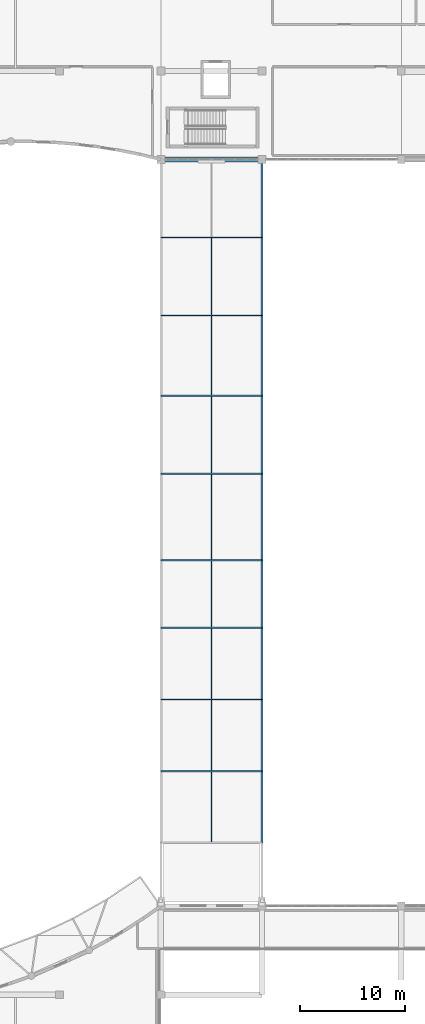
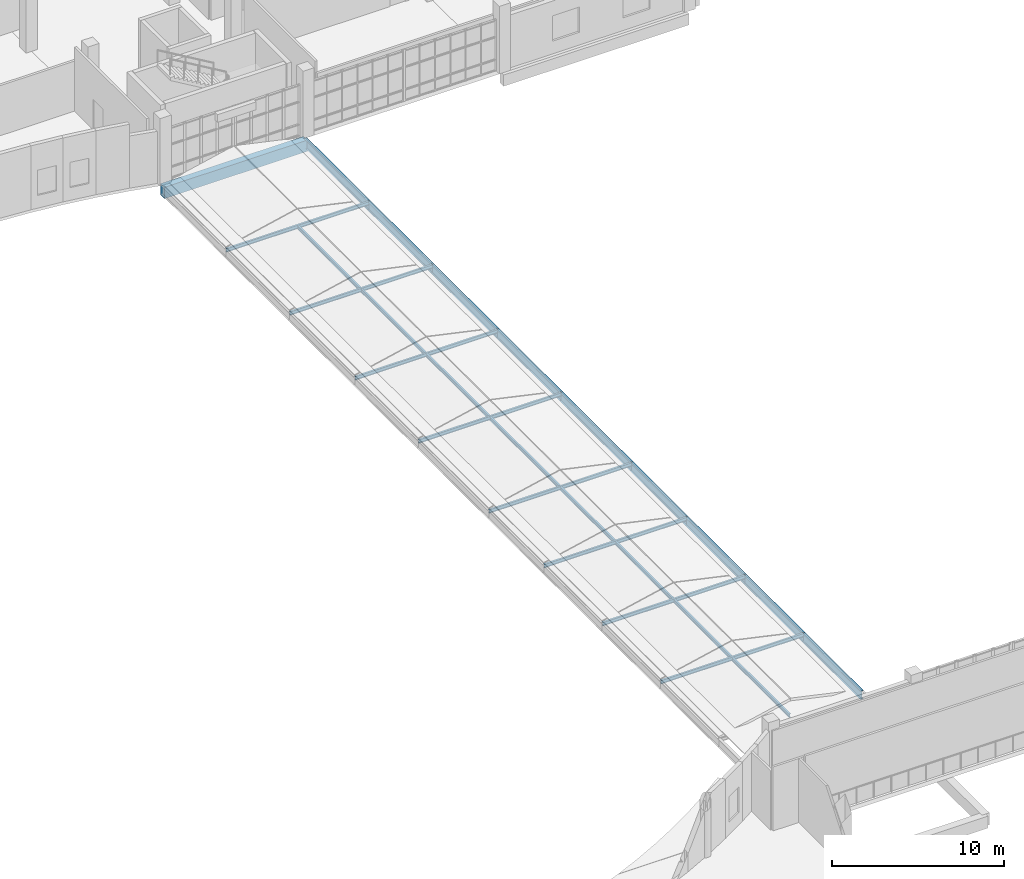
# One storey, part 54 of 106: 26 beams.
"""IFC4 building model written with IfcOpenShell, lengths in metres."""

from ifc_helpers import new_model, si_unit, direction, frame, origin, origin_2d, place, context, subcontext, project, spatial, rectangle, i_section, extrude, material, material_profile, profile_set, type_object, element, save


model = new_model("IFC4")

# Units and contexts
model_context = context("Model", 3, precision=1e-05, world=origin(), true_north=direction((0.0, 1.0)))
body_context = subcontext(model_context, "Body", "Model", "MODEL_VIEW")
ifc_project = project(units=[si_unit("LENGTHUNIT", "METRE"), si_unit("AREAUNIT", "SQUARE_METRE"), si_unit("VOLUMEUNIT", "CUBIC_METRE"), si_unit("PLANEANGLEUNIT", "RADIAN"), si_unit("MASSUNIT", "GRAM", prefix="KILO")], contexts=[model_context])

# Site, building, storey
site_placement = place(None, origin())
site = spatial("IfcSite", under=ifc_project, at=site_placement, CompositionType="ELEMENT")
building_placement = place(site_placement, origin())
building = spatial("IfcBuilding", under=site, at=building_placement, Name="Kisaragi Civic Commons", CompositionType="ELEMENT")
storey_placement = place(building_placement, frame((0.0, 0.0, 4.800048828125)))
storey = spatial("IfcBuildingStorey", under=building, at=storey_placement, Name="L01", CompositionType="ELEMENT", Elevation=4.800048828125)

# Beams
ifc_material_1 = material(Name="Steel SN490 (SN490B)", Category="steel")
ifc_material_profile_1 = material_profile(ifc_material_1, i_section(OverallWidth=0.199951171875, OverallDepth=0.60009765625, WebThickness=0.010986328125, FlangeThickness=0.01708984375, FilletRadius=0.012939453125, at=origin_2d()), Name="H-600x200x11x17", Category="steel")
ifc_profile_set_1 = profile_set([ifc_material_profile_1], Name="Steel SN490 (SN490B)")
beam_type_1 = type_object("IfcBeamType", Name="G-10", PredefinedType="BEAM", material=ifc_profile_set_1)
beam_1_placement = place(storey_placement, frame((133.199951171875, 96.0, -0.580078125), z_axis=(0.0, -1.0, 0.0), x_axis=(1.0, 0.0, 0.0)))
element("IfcBeam", 1, at=beam_1_placement, inside=storey, type_object=beam_type_1, Name="BR-V4-V3 L01 bridge girder 141", PredefinedType="BEAM", context=body_context, shape_type="SweptSolid", body=[
    extrude(i_section(OverallWidth=0.199951171875, OverallDepth=0.60009765625, WebThickness=0.010986328125, FlangeThickness=0.01708984375, FilletRadius=0.012939453125, at=origin_2d()), origin(), (0.0, 0.0, 1.0), 7.39990234375),
])
beam_2_placement = place(storey_placement, frame((133.199951171875, 88.60009765625, -0.580078125), z_axis=(0.0, -1.0, 0.0), x_axis=(1.0, 0.0, 0.0)))
element("IfcBeam", 2, at=beam_2_placement, inside=storey, type_object=beam_type_1, Name="BR-V4-V3 L01 bridge girder 142", PredefinedType="BEAM", context=body_context, shape_type="SweptSolid", body=[
    extrude(i_section(OverallWidth=0.199951171875, OverallDepth=0.60009765625, WebThickness=0.010986328125, FlangeThickness=0.01708984375, FilletRadius=0.012939453125, at=origin_2d()), origin(), (0.0, 0.0, 1.0), 7.400146484375),
])
beam_3_placement = place(storey_placement, frame((133.199951171875, 81.199951171875, -0.580078125), z_axis=(0.0, -1.0, 0.0), x_axis=(1.0, 0.0, 0.0)))
element("IfcBeam", 3, at=beam_3_placement, inside=storey, type_object=beam_type_1, Name="BR-V4-V3 L01 bridge girder 143", PredefinedType="BEAM", context=body_context, shape_type="SweptSolid", body=[
    extrude(i_section(OverallWidth=0.199951171875, OverallDepth=0.60009765625, WebThickness=0.010986328125, FlangeThickness=0.01708984375, FilletRadius=0.012939453125, at=origin_2d()), origin(), (0.0, 0.0, 1.0), 7.599853515625),
])
beam_4_placement = place(storey_placement, frame((133.199951171875, 73.60009765625, -0.580078125), z_axis=(0.0, -1.0, 0.0), x_axis=(1.0, 0.0, 0.0)))
element("IfcBeam", 4, at=beam_4_placement, inside=storey, type_object=beam_type_1, Name="BR-V4-V3 L01 bridge girder 144", PredefinedType="BEAM", context=body_context, shape_type="SweptSolid", body=[
    extrude(i_section(OverallWidth=0.199951171875, OverallDepth=0.60009765625, WebThickness=0.010986328125, FlangeThickness=0.01708984375, FilletRadius=0.012939453125, at=origin_2d()), origin(), (0.0, 0.0, 1.0), 7.400146484375),
])
beam_5_placement = place(storey_placement, frame((133.199951171875, 66.199951171875, -0.580078125), z_axis=(0.0, -1.0, 0.0), x_axis=(1.0, 0.0, 0.0)))
element("IfcBeam", 5, at=beam_5_placement, inside=storey, type_object=beam_type_1, Name="BR-V4-V3 L01 bridge girder 145", PredefinedType="BEAM", context=body_context, shape_type="SweptSolid", body=[
    extrude(i_section(OverallWidth=0.199951171875, OverallDepth=0.60009765625, WebThickness=0.010986328125, FlangeThickness=0.01708984375, FilletRadius=0.012939453125, at=origin_2d()), origin(), (0.0, 0.0, 1.0), 8.199951171875),
])
beam_6_placement = place(storey_placement, frame((133.199951171875, 58.0, -0.580078125), z_axis=(0.0, -1.0, 0.0), x_axis=(1.0, 0.0, 0.0)))
element("IfcBeam", 6, at=beam_6_placement, inside=storey, type_object=beam_type_1, Name="BR-V4-V3 L01 bridge girder 146", PredefinedType="BEAM", context=body_context, shape_type="SweptSolid", body=[
    extrude(i_section(OverallWidth=0.199951171875, OverallDepth=0.60009765625, WebThickness=0.010986328125, FlangeThickness=0.01708984375, FilletRadius=0.012939453125, at=origin_2d()), origin(), (0.0, 0.0, 1.0), 6.39990234375),
])
for number, where, z_axis, x_axis, name in (
    (7, (133.199951171875, 51.60009765625, -0.580078125), (0.0, -1.0, 0.0), (1.0, 0.0, 0.0), "BR-V4-V3 L01 bridge girder 147"),
    (8, (133.199951171875, 44.800048828125, -0.580078125), (0.0, -1.0, 0.0), (1.0, 0.0, 0.0), "BR-V4-V3 L01 bridge girder 148"),
    (9, (133.199951171875, 38.0, -0.580078125), (0.0, -1.0, 0.0), (1.0, 0.0, 0.0), "BR-V4-V3 L01 bridge girder 149"),
):
    element("IfcBeam", number, at=place(storey_placement, frame(where, z_axis=z_axis, x_axis=x_axis)), inside=storey, type_object=beam_type_1, Name=name, PredefinedType="BEAM", context=body_context, shape_type="SweptSolid", body=[
        extrude(i_section(OverallWidth=0.199951171875, OverallDepth=0.60009765625, WebThickness=0.010986328125, FlangeThickness=0.01708984375, FilletRadius=0.012939453125, at=origin_2d()), origin(), (0.0, 0.0, 1.0), 6.800048828125),
    ])
ifc_material_2 = material(Name="Steel SN400 (SN400B)", Category="steel")
ifc_material_profile_2 = material_profile(ifc_material_2, i_section(OverallWidth=0.125, OverallDepth=0.25, WebThickness=0.006103515625, FlangeThickness=0.009033203125, FilletRadius=0.008056640625, at=origin_2d()), Name="H-250x125x6x9", Category="steel")
ifc_profile_set_2 = profile_set([ifc_material_profile_2], Name="Steel SN400 (SN400B)")
beam_type_2 = type_object("IfcBeamType", Name="J-05", PredefinedType="JOIST", material=ifc_profile_set_2)
for number, where, z_axis, x_axis, name in (
    (10, (123.60009765625, 88.60009765625, -0.405029296875), (1.0, 0.0, 0.0), (0.0, 1.0, 0.0), "BR-V4-V3 L01 cross joist 152"),
    (11, (123.60009765625, 81.199951171875, -0.405029296875), (1.0, 0.0, 0.0), (0.0, 1.0, 0.0), "BR-V4-V3 L01 cross joist 153"),
    (12, (123.60009765625, 73.60009765625, -0.405029296875), (1.0, 0.0, 0.0), (0.0, 1.0, 0.0), "BR-V4-V3 L01 cross joist 154"),
    (13, (123.60009765625, 66.199951171875, -0.405029296875), (1.0, 0.0, 0.0), (0.0, 1.0, 0.0), "BR-V4-V3 L01 cross joist 155"),
    (14, (123.60009765625, 58.0, -0.405029296875), (1.0, 0.0, 0.0), (0.0, 1.0, 0.0), "BR-V4-V3 L01 cross joist 156"),
    (15, (123.60009765625, 51.60009765625, -0.405029296875), (1.0, 0.0, 0.0), (0.0, 1.0, 0.0), "BR-V4-V3 L01 cross joist 157"),
    (16, (123.60009765625, 44.800048828125, -0.405029296875), (1.0, 0.0, 0.0), (0.0, 1.0, 0.0), "BR-V4-V3 L01 cross joist 158"),
    (17, (123.60009765625, 38.0, -0.405029296875), (1.0, 0.0, 0.0), (0.0, 1.0, 0.0), "BR-V4-V3 L01 cross joist 159"),
):
    element("IfcBeam", number, at=place(storey_placement, frame(where, z_axis=z_axis, x_axis=x_axis)), inside=storey, type_object=beam_type_2, Name=name, PredefinedType="JOIST", context=body_context, shape_type="SweptSolid", body=[
        extrude(i_section(OverallWidth=0.125, OverallDepth=0.25, WebThickness=0.006103515625, FlangeThickness=0.009033203125, FilletRadius=0.008056640625, at=origin_2d()), origin(), (0.0, 0.0, 1.0), 9.599853515625),
    ])
beam_7_placement = place(storey_placement, frame((128.39990234375, 88.53759765625, -0.405029296875), z_axis=(0.0, -1.0, 0.0), x_axis=(1.0, 0.0, 0.0)))
element("IfcBeam", 18, at=beam_7_placement, inside=storey, type_object=beam_type_2, Name="BR-V4-V3 L01 spine joist 161", PredefinedType="JOIST", context=body_context, shape_type="SweptSolid", body=[
    extrude(i_section(OverallWidth=0.125, OverallDepth=0.25, WebThickness=0.006103515625, FlangeThickness=0.009033203125, FilletRadius=0.008056640625, at=origin_2d()), origin(), (0.0, 0.0, 1.0), 7.275146484375),
])
beam_8_placement = place(storey_placement, frame((128.39990234375, 81.137451171875, -0.405029296875), z_axis=(0.0, -1.0, 0.0), x_axis=(1.0, 0.0, 0.0)))
element("IfcBeam", 19, at=beam_8_placement, inside=storey, type_object=beam_type_2, Name="BR-V4-V3 L01 spine joist 162", PredefinedType="JOIST", context=body_context, shape_type="SweptSolid", body=[
    extrude(i_section(OverallWidth=0.125, OverallDepth=0.25, WebThickness=0.006103515625, FlangeThickness=0.009033203125, FilletRadius=0.008056640625, at=origin_2d()), origin(), (0.0, 0.0, 1.0), 7.474853515625),
])
beam_9_placement = place(storey_placement, frame((128.39990234375, 73.53759765625, -0.405029296875), z_axis=(0.0, -1.0, 0.0), x_axis=(1.0, 0.0, 0.0)))
element("IfcBeam", 20, at=beam_9_placement, inside=storey, type_object=beam_type_2, Name="BR-V4-V3 L01 spine joist 163", PredefinedType="JOIST", context=body_context, shape_type="SweptSolid", body=[
    extrude(i_section(OverallWidth=0.125, OverallDepth=0.25, WebThickness=0.006103515625, FlangeThickness=0.009033203125, FilletRadius=0.008056640625, at=origin_2d()), origin(), (0.0, 0.0, 1.0), 7.275146484375),
])
beam_10_placement = place(storey_placement, frame((128.39990234375, 66.137451171875, -0.405029296875), z_axis=(0.0, -1.0, 0.0), x_axis=(1.0, 0.0, 0.0)))
element("IfcBeam", 21, at=beam_10_placement, inside=storey, type_object=beam_type_2, Name="BR-V4-V3 L01 spine joist 164", PredefinedType="JOIST", context=body_context, shape_type="SweptSolid", body=[
    extrude(i_section(OverallWidth=0.125, OverallDepth=0.25, WebThickness=0.006103515625, FlangeThickness=0.009033203125, FilletRadius=0.008056640625, at=origin_2d()), origin(), (0.0, 0.0, 1.0), 8.074951171875),
])
beam_11_placement = place(storey_placement, frame((128.39990234375, 57.9375, -0.405029296875), z_axis=(0.0, -1.0, 0.0), x_axis=(1.0, 0.0, 0.0)))
element("IfcBeam", 22, at=beam_11_placement, inside=storey, type_object=beam_type_2, Name="BR-V4-V3 L01 spine joist 165", PredefinedType="JOIST", context=body_context, shape_type="SweptSolid", body=[
    extrude(i_section(OverallWidth=0.125, OverallDepth=0.25, WebThickness=0.006103515625, FlangeThickness=0.009033203125, FilletRadius=0.008056640625, at=origin_2d()), origin(), (0.0, 0.0, 1.0), 6.27490234375),
])
for number, where, z_axis, x_axis, name in (
    (23, (128.39990234375, 51.53759765625, -0.405029296875), (0.0, -1.0, 0.0), (1.0, 0.0, 0.0), "BR-V4-V3 L01 spine joist 166"),
    (24, (128.39990234375, 44.737548828125, -0.405029296875), (0.0, -1.0, 0.0), (1.0, 0.0, 0.0), "BR-V4-V3 L01 spine joist 167"),
    (25, (128.39990234375, 37.9375, -0.405029296875), (0.0, -1.0, 0.0), (1.0, 0.0, 0.0), "BR-V4-V3 L01 spine joist 168"),
):
    element("IfcBeam", number, at=place(storey_placement, frame(where, z_axis=z_axis, x_axis=x_axis)), inside=storey, type_object=beam_type_2, Name=name, PredefinedType="JOIST", context=body_context, shape_type="SweptSolid", body=[
        extrude(i_section(OverallWidth=0.125, OverallDepth=0.25, WebThickness=0.006103515625, FlangeThickness=0.009033203125, FilletRadius=0.008056640625, at=origin_2d()), origin(), (0.0, 0.0, 1.0), 6.675048828125),
    ])
ifc_material_3 = material(Name="Concrete Fc30", Category="concrete")
ifc_material_profile_3 = material_profile(ifc_material_3, rectangle(XDim=0.449951171875, YDim=0.800048828125, at=origin_2d()), Name="RC-450x800", Category="concrete")
ifc_profile_set_3 = profile_set([ifc_material_profile_3], Name="Concrete Fc30")
beam_type_3 = type_object("IfcBeamType", Name="SPB-01", PredefinedType="SPANDREL", material=ifc_profile_set_3)
beam_12_placement = place(storey_placement, frame((123.60009765625, 96.0, -0.705078125), z_axis=(1.0, 0.0, 0.0), x_axis=(0.0, 1.0, 0.0)))
element("IfcBeam", 26, at=beam_12_placement, inside=storey, type_object=beam_type_3, Name="L01 girder SPB-01 224", PredefinedType="SPANDREL", context=body_context, shape_type="SweptSolid", body=[
    extrude(rectangle(XDim=0.449951171875, YDim=0.800048828125, at=origin_2d()), origin(), (0.0, 0.0, 1.0), 9.599853515625),
])

save(model, "model.ifc")
